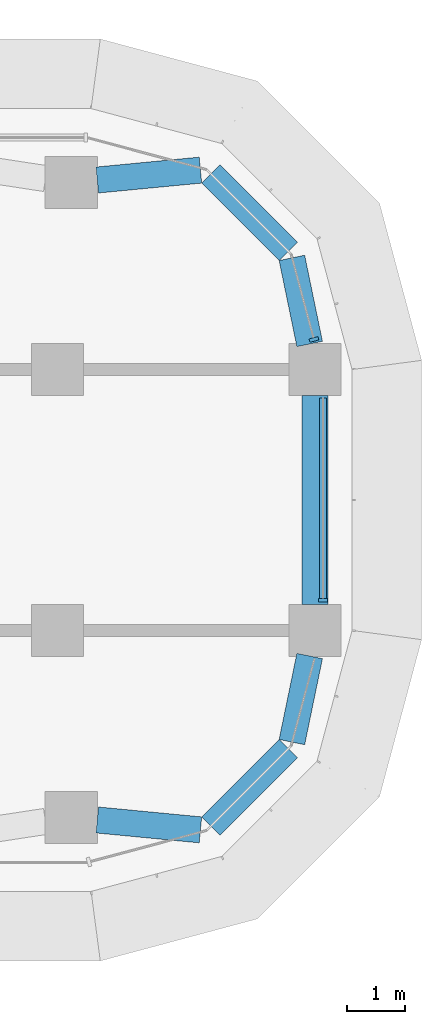
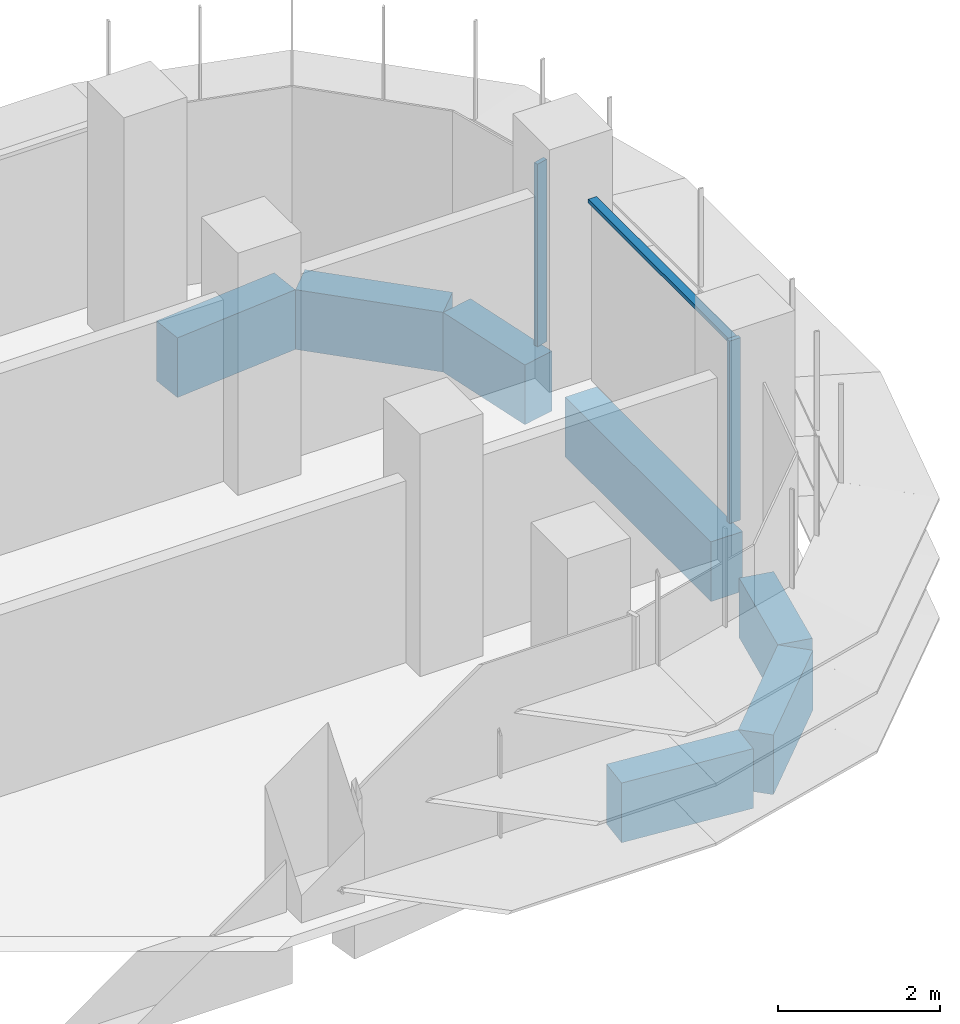
# One storey, part 10 of 22: 7 beams, 3 members, 2 elements without a shape of their own.
"""IFC4 building model written with IfcOpenShell, lengths in metres."""

import ifcopenshell
import ifcopenshell.guid

model = None  # the IFC model being written
_history = None  # IfcOwnerHistory: only IFC2X3 demands one
_inside = {}  # id of a spatial element -> (the spatial element, [elements in it])
_under = {}  # id of a project, library or spatial element -> (it, [spatial elements below it])
_declared = {}  # id of a project -> (the project, [libraries it declares])
_typed = {}  # id of a type object -> (the type object, [elements of that type])
_made_of = {}  # id of a material, layer set ... -> (it, [elements and type objects made of it])


def new_model(schema):
    """Start an empty IFC model of exactly this schema.

    Asked for "IFC4X3", IfcOpenShell would pick the latest addendum, in which some entities
    have other attributes; the version numbers below select the first issue.
    IFC2X3 requires an IfcOwnerHistory on every rooted entity: one is made here for all.
    """
    global model, _history
    if schema == "IFC4X3":
        model = ifcopenshell.file(schema_version=(4, 3, 0, 0))
    else:
        model = ifcopenshell.file(schema=schema)
    _inside.clear()
    _under.clear()
    _declared.clear()
    _typed.clear()
    _made_of.clear()
    _history = None
    if model.schema == "IFC2X3":
        org = make("IfcOrganization", Name="unknown")
        user = make(
            "IfcPersonAndOrganization",
            ThePerson=make("IfcPerson", FamilyName="unknown"),
            TheOrganization=org,
        )
        app = make(
            "IfcApplication",
            ApplicationDeveloper=org,
            Version="unknown",
            ApplicationFullName="unknown",
            ApplicationIdentifier="unknown",
        )
        _history = make(
            "IfcOwnerHistory",
            OwningUser=user,
            OwningApplication=app,
            ChangeAction="ADDED",
            CreationDate=0,
        )
    return model


def make(cls, **values):
    """One entity of the class cls with the attributes given. An attribute that is None is left unset."""
    return model.create_entity(
        cls, **{name: value for name, value in values.items() if value is not None}
    )


def rooted(cls, **values):
    """An entity with a GlobalId (a new one), such as an element, a storey or a relation."""
    return make(cls, GlobalId=ifcopenshell.guid.new(), OwnerHistory=_history, **values)


def si_unit(unit_type, name, prefix=None):
    """IfcSIUnit, for example si_unit("LENGTHUNIT", "METRE", prefix="MILLI")."""
    return make("IfcSIUnit", UnitType=unit_type, Prefix=prefix, Name=name)


def assignment(units):
    """IfcUnitAssignment: the units of a project."""
    return None if units is None else make("IfcUnitAssignment", Units=units)


def point(xyz):
    """IfcCartesianPoint."""
    return None if xyz is None else make("IfcCartesianPoint", Coordinates=xyz)


def direction(xyz):
    """IfcDirection."""
    return None if xyz is None else make("IfcDirection", DirectionRatios=xyz)


def frame(location, z_axis=None, x_axis=None):
    """IfcAxis2Placement3D, a coordinate frame: its origin and axes. An axis left out is left unset."""
    return make(
        "IfcAxis2Placement3D",
        Location=point(location),
        Axis=direction(z_axis),
        RefDirection=direction(x_axis),
    )


def frame_2d(location, x_axis=None):
    """IfcAxis2Placement2D, a coordinate frame in the plane: its origin and x axis."""
    return make(
        "IfcAxis2Placement2D", Location=point(location), RefDirection=direction(x_axis)
    )


def origin():
    """The frame at (0, 0, 0) with its axes left unset."""
    return frame((0.0, 0.0, 0.0))


def origin_2d():
    """The frame at (0, 0) in the plane with its x axis left unset."""
    return frame_2d((0.0, 0.0))


def place(relative_to, where):
    """IfcLocalPlacement: puts the frame where relative to a parent placement (None: the world)."""
    return make(
        "IfcLocalPlacement", PlacementRelTo=relative_to, RelativePlacement=where
    )


def context(
    kind, dimensions, precision=None, world=None, true_north=None, identifier=None
):
    """IfcGeometricRepresentationContext, for example the 3D "Model" context."""
    return make(
        "IfcGeometricRepresentationContext",
        ContextIdentifier=identifier,
        ContextType=kind,
        CoordinateSpaceDimension=dimensions,
        Precision=precision,
        WorldCoordinateSystem=world,
        TrueNorth=true_north,
    )


def subcontext(parent, identifier, kind, view, scale=None):
    """IfcGeometricRepresentationSubContext, for example "Body" below "Model"."""
    return make(
        "IfcGeometricRepresentationSubContext",
        ContextIdentifier=identifier,
        ContextType=kind,
        ParentContext=parent,
        TargetScale=scale,
        TargetView=view,
    )


def project(units=None, contexts=None):
    """IfcProject with its units and contexts."""
    return rooted(
        "IfcProject",
        Name="project",
        RepresentationContexts=contexts,
        UnitsInContext=assignment(units),
    )


def spatial(cls, under=None, at=None, **own):
    """A site, building, storey or space (cls), placed at a placement, below another one or the project."""
    s = rooted(cls, ObjectPlacement=at, **own)
    if under is not None:
        _under.setdefault(under.id(), (under, []))[1].append(s)
    return s


def polyline(points):
    """IfcPolyline through the points."""
    return make("IfcPolyline", Points=[point(p) for p in points])


def profile(cls, at=None, kind="AREA", **sizes):
    """A parametric profile (cls). Its sizes go by their IFC names, for example OverallWidth=200.0."""
    return make(cls, ProfileType=kind, Position=at, **sizes)


def rectangle(**sizes):
    """IfcRectangleProfileDef."""
    return profile("IfcRectangleProfileDef", **sizes)


def outline(outer, holes=None, kind="AREA"):
    """IfcArbitraryClosedProfileDef: a profile drawn as a closed curve; with holes, ...WithVoids."""
    if holes is None:
        return make("IfcArbitraryClosedProfileDef", ProfileType=kind, OuterCurve=outer)
    return make(
        "IfcArbitraryProfileDefWithVoids",
        ProfileType=kind,
        OuterCurve=outer,
        InnerCurves=holes,
    )


def extrude(swept, where, along, depth):
    """IfcExtrudedAreaSolid: the profile swept, set in the frame where, extruded along a direction by depth."""
    return make(
        "IfcExtrudedAreaSolid",
        SweptArea=swept,
        Position=where,
        ExtrudedDirection=direction(along),
        Depth=depth,
    )


def shape(context_of_items, identifier, shape_type, items):
    """IfcShapeRepresentation: the items that make up one representation, for example the "Body"."""
    return make(
        "IfcShapeRepresentation",
        ContextOfItems=context_of_items,
        RepresentationIdentifier=identifier,
        RepresentationType=shape_type,
        Items=items,
    )


def source(mapping_origin, context_of_items, identifier, shape_type, items):
    """IfcRepresentationMap: a shape defined once, which mapped items show again and again."""
    return make(
        "IfcRepresentationMap",
        MappingOrigin=mapping_origin,
        MappedRepresentation=shape(context_of_items, identifier, shape_type, items),
    )


def transform(
    local_origin,
    x_axis=None,
    y_axis=None,
    z_axis=None,
    scale=None,
    scale2=None,
    scale3=None,
    uniform=True,
):
    """IfcCartesianTransformationOperator3D, or its non-uniform kind. x_axis, y_axis, z_axis: its Axis1, 2, 3."""
    if uniform:
        return make(
            "IfcCartesianTransformationOperator3D",
            Axis1=direction(x_axis),
            Axis2=direction(y_axis),
            LocalOrigin=point(local_origin),
            Scale=scale,
            Axis3=direction(z_axis),
        )
    return make(
        "IfcCartesianTransformationOperator3DnonUniform",
        Axis1=direction(x_axis),
        Axis2=direction(y_axis),
        LocalOrigin=point(local_origin),
        Scale=scale,
        Axis3=direction(z_axis),
        Scale2=scale2,
        Scale3=scale3,
    )


def mapped(mapping_source, mapping_target):
    """IfcMappedItem: shows the shape of a source again, moved by a transform."""
    return make(
        "IfcMappedItem", MappingSource=mapping_source, MappingTarget=mapping_target
    )


def material(Name=None, Category=None):
    """IfcMaterial."""
    return make("IfcMaterial", Name=Name, Category=Category)


def material_profile(
    of_material, cross_section, Name=None, Category=None, Priority=None
):
    """IfcMaterialProfile: a cross section and its material."""
    return make(
        "IfcMaterialProfile",
        Name=Name,
        Material=of_material,
        Profile=cross_section,
        Priority=Priority,
        Category=Category,
    )


def profile_set(profiles, Name=None, composite=None):
    """IfcMaterialProfileSet."""
    return make(
        "IfcMaterialProfileSet",
        Name=Name,
        MaterialProfiles=profiles,
        CompositeProfile=composite,
    )


def made_of(thing, what):
    """Note that an element or type object is made of a material, layer set ...; save() writes the relation."""
    if what is not None:
        _made_of.setdefault(what.id(), (what, []))[1].append(thing)
    return thing


def type_object(cls, material=None, **own):
    """A type object (cls), such as IfcWallType, which elements share."""
    return made_of(rooted(cls, **own), material)


def element(
    cls,
    number,
    at=None,
    inside=None,
    cuts=None,
    type_object=None,
    material=None,
    context=None,
    identifier="Body",
    shape_type=None,
    held_by="IfcProductDefinitionShape",
    body=None,
    shapes=None,
    **own,
):
    """One element of the class cls, such as IfcWall. Its Tag is "e" and its number.

    at: its placement. inside: the storey or other place that contains it. cuts: it is an
    opening in that element (IfcRelVoidsElement). A single representation is given by context,
    identifier, shape_type and body (its items); several are given by shapes. held_by: the class
    of the entity that holds the representations. save() writes the other relations.
    """
    e = rooted(cls, Tag="e%d" % number, ObjectPlacement=at, **own)
    if body is not None:
        shapes = [shape(context, identifier, shape_type, body)]
    if shapes is not None:
        e.Representation = make(held_by, Representations=shapes)
    if inside is not None:
        _inside.setdefault(inside.id(), (inside, []))[1].append(e)
    if cuts is not None:
        rooted(
            "IfcRelVoidsElement", RelatingBuildingElement=cuts, RelatedOpeningElement=e
        )
    if type_object is not None:
        _typed.setdefault(type_object.id(), (type_object, []))[1].append(e)
    return made_of(e, material)


def aggregate(whole, parts):
    """IfcRelAggregates: a whole, such as a stair, and the parts it consists of."""
    return rooted("IfcRelAggregates", RelatingObject=whole, RelatedObjects=parts)


def save(model, path):
    """Write the relations noted so far, then the file.

    IfcRelAggregates (storeys below a building ...), IfcRelContainedInSpatialStructure (elements
    in a storey), IfcRelDefinesByType, IfcRelAssociatesMaterial and IfcRelDeclares: one each for
    every whole, place, type object, material and project.
    """
    for whole, parts in _under.values():
        aggregate(whole, parts)
    for where, things in _inside.values():
        rooted(
            "IfcRelContainedInSpatialStructure",
            RelatedElements=things,
            RelatingStructure=where,
        )
    for kind, things in _typed.values():
        rooted("IfcRelDefinesByType", RelatedObjects=things, RelatingType=kind)
    for what, things in _made_of.values():
        rooted("IfcRelAssociatesMaterial", RelatedObjects=things, RelatingMaterial=what)
    for by, libraries in _declared.values():
        rooted("IfcRelDeclares", RelatingContext=by, RelatedDefinitions=libraries)
    model.write(path)


model = new_model("IFC4")

# Units and contexts
model_context = context("Model", 3, precision=1e-05, world=origin(), true_north=direction((0.0, 1.0)))
body_context = subcontext(model_context, "Body", "Model", "MODEL_VIEW")
ifc_project = project(units=[si_unit("LENGTHUNIT", "METRE"), si_unit("AREAUNIT", "SQUARE_METRE"), si_unit("VOLUMEUNIT", "CUBIC_METRE"), si_unit("PLANEANGLEUNIT", "RADIAN"), si_unit("MASSUNIT", "GRAM", prefix="KILO")], contexts=[model_context])

# Site, building, storey
site_placement = place(None, origin())
site = spatial("IfcSite", under=ifc_project, at=site_placement, CompositionType="ELEMENT")
building_placement = place(site_placement, origin())
building = spatial("IfcBuilding", under=site, at=building_placement, Name="Zarbagh Exchange Tower", CompositionType="ELEMENT")
storey_placement = place(building_placement, frame((0.0, 0.0, 109.39990234375)))
storey = spatial("IfcBuildingStorey", under=building, at=storey_placement, Name="L25", CompositionType="ELEMENT", Elevation=109.39990234375)

# Beams
ifc_material_1 = material(Name="Concrete C60/75", Category="concrete")
ifc_material_profile = material_profile(ifc_material_1, rectangle(XDim=0.449951171875, YDim=0.89990234375, at=origin_2d()), Name="RC spandrel beam 450 x 900 C60/75")
ifc_profile_set = profile_set([ifc_material_profile], Name="Concrete C60/75")
beam_type = type_object("IfcBeamType", Name="RC spandrel beam 450 x 900 C60/75", PredefinedType="SPANDREL", material=ifc_profile_set)
beam_1_placement = place(storey_placement, frame((29.35595703125, 5.51806640625, -0.599853515625), z_axis=(0.995433267802, 0.095459988228, 0.0), x_axis=(-0.095459988228, 0.995433267802, 0.0)))
element("IfcBeam", 1, at=beam_1_placement, inside=storey, type_object=beam_type, Name="RC spandrel beam", PredefinedType="SPANDREL", context=body_context, shape_type="SweptSolid", body=[
    extrude(rectangle(XDim=0.449951171875, YDim=0.89990234375, at=origin_2d()), origin(), (0.0, 0.0, 1.0), 1.78759765625),
])
beam_2_placement = place(storey_placement, frame((31.316162109375, 5.623779296875, -0.599853515625), z_axis=(0.707106781187, -0.707106781187, 0.0), x_axis=(0.707106781187, 0.707106781187, 0.0)))
element("IfcBeam", 2, at=beam_2_placement, inside=storey, type_object=beam_type, Name="RC spandrel beam", PredefinedType="SPANDREL", context=body_context, shape_type="SweptSolid", body=[
    extrude(rectangle(XDim=0.449951171875, YDim=0.89990234375, at=origin_2d()), origin(), (0.0, 0.0, 1.0), 1.887939453125),
])
beam_3_placement = place(storey_placement, frame((32.71240234375, 4.17529296875, -0.599853515625), z_axis=(0.202275417995, -0.979328675816, 0.0), x_axis=(0.979328675816, 0.202275417995, 0.0)))
element("IfcBeam", 3, at=beam_3_placement, inside=storey, type_object=beam_type, Name="RC spandrel beam", PredefinedType="SPANDREL", context=body_context, shape_type="SweptSolid", body=[
    extrude(rectangle(XDim=0.449951171875, YDim=0.89990234375, at=origin_2d()), origin(), (0.0, 0.0, 1.0), 1.515869140625),
])
beam_4_placement = place(storey_placement, frame((33.110107421875, 1.800048828125, -0.599853515625), z_axis=(0.0, -1.0, 0.0), x_axis=(1.0, 0.0, 0.0)))
element("IfcBeam", 4, at=beam_4_placement, inside=storey, type_object=beam_type, Name="RC spandrel beam", PredefinedType="SPANDREL", context=body_context, shape_type="SweptSolid", body=[
    extrude(rectangle(XDim=0.449951171875, YDim=0.89990234375, at=origin_2d()), origin(), (0.0, 0.0, 1.0), 3.60009765625),
])
beam_5_placement = place(storey_placement, frame((33.01904296875, -2.690673828125, -0.599853515625), z_axis=(-0.202275417995, -0.979328675816, 0.0), x_axis=(0.979328675816, -0.202275417995, 0.0)))
element("IfcBeam", 5, at=beam_5_placement, inside=storey, type_object=beam_type, Name="RC spandrel beam", PredefinedType="SPANDREL", context=body_context, shape_type="SweptSolid", body=[
    extrude(rectangle(XDim=0.449951171875, YDim=0.89990234375, at=origin_2d()), origin(), (0.0, 0.0, 1.0), 1.515869140625),
])
beam_6_placement = place(storey_placement, frame((32.651123046875, -4.288818359375, -0.599853515625), z_axis=(-0.707106781187, -0.707106781187, 0.0), x_axis=(0.707106781187, -0.707106781187, 0.0)))
element("IfcBeam", 6, at=beam_6_placement, inside=storey, type_object=beam_type, Name="RC spandrel beam", PredefinedType="SPANDREL", context=body_context, shape_type="SweptSolid", body=[
    extrude(rectangle(XDim=0.449951171875, YDim=0.89990234375, at=origin_2d()), origin(), (0.0, 0.0, 1.0), 1.887939453125),
])
beam_7_placement = place(storey_placement, frame((31.135498046875, -5.688720703125, -0.599853515625), z_axis=(-0.995433267802, 0.095459988228, 0.0), x_axis=(-0.095459988228, -0.995433267802, 0.0)))
element("IfcBeam", 7, at=beam_7_placement, inside=storey, type_object=beam_type, Name="RC spandrel beam", PredefinedType="SPANDREL", context=body_context, shape_type="SweptSolid", body=[
    extrude(rectangle(XDim=0.449951171875, YDim=0.89990234375, at=origin_2d()), origin(), (0.0, 0.0, 1.0), 1.78759765625),
])

# Curtain wall, member
ifc_material_2 = material(Name="Anodised aluminium frame and glazing", Category="aluminium")
curtain_wall_type = type_object("IfcCurtainWallType", Name="CWA Ribbon glazing, lower zones", PredefinedType="NOTDEFINED", material=ifc_material_2)
curtain_wall_1_placement = place(storey_placement, origin())
curtain_wall_1 = element("IfcCurtainWall", 8, at=curtain_wall_1_placement, inside=storey, type_object=curtain_wall_type, Name="CWA12 curtain wall", PredefinedType="NOTDEFINED")
ifc_material_3 = material(Name="Anodised aluminium frame", Category="aluminium")
member_type_1 = type_object("IfcMemberType", Name="MUA Mullion, anodised aluminium frame", PredefinedType="MULLION", material=ifc_material_3)
shared_shape_1 = source(origin(), body_context, "Body", "SweptSolid", [
    extrude(outline(polyline([(0.0, -0.080078125), (0.06005859375, -0.080078125), (0.06005859375, 0.080078125), (0.0, 0.080078125), (0.0, -0.080078125)])), origin(), (0.0, 0.0, 1.0), 2.75),
])
placement = place(storey_placement, origin())
member_1 = element("IfcMember", 9, at=placement, type_object=member_type_1, Name="CWA12 mullion 1.1", PredefinedType="MULLION", context=body_context, shape_type="MappedRepresentation", body=[
    mapped(shared_shape_1, transform((33.25, -1.760009765625, 0.0), x_axis=(0.0, 1.0, 0.0), y_axis=(-1.0, 0.0, 0.0), z_axis=(0.0, 0.0, 1.0))),
])

curtain_wall_2_placement = place(storey_placement, origin())
curtain_wall_2 = element("IfcCurtainWall", 10, at=curtain_wall_2_placement, inside=storey, type_object=curtain_wall_type, Name="CWA13 curtain wall", PredefinedType="NOTDEFINED")
member_2 = element("IfcMember", 11, at=placement, type_object=member_type_1, Name="CWA13 mullion 1.1", PredefinedType="MULLION", context=body_context, shape_type="MappedRepresentation", body=[
    mapped(shared_shape_1, transform((33.10107421875, 2.739990234375, 0.0), x_axis=(-0.258824779902, 0.965924289636, 0.0), y_axis=(-0.965924289636, -0.258824779902, 0.0), z_axis=(0.0, 0.0, 1.0))),
])
aggregate(curtain_wall_2, [member_2])

# Member
member_type_2 = type_object("IfcMemberType", Name="TRA Transom, anodised aluminium frame", PredefinedType="USERDEFINED", material=ifc_material_3)
shared_shape_2 = source(origin(), body_context, "Body", "SweptSolid", [
    extrude(outline(polyline([(-0.06005859375, -0.06005859375), (0.0, -0.06005859375), (0.0, 0.06005859375), (-0.06005859375, 0.06005859375), (-0.06005859375, -0.06005859375)])), origin(), (0.0, 0.0, 1.0), 3.4599609375),
])
member_3 = element("IfcMember", 12, at=placement, type_object=member_type_2, Name="CWA12 transom 1.1", ObjectType="TRANSOM", PredefinedType="USERDEFINED", context=body_context, shape_type="MappedRepresentation", body=[
    mapped(shared_shape_2, transform((33.25, -1.699951171875, 2.75), x_axis=(0.0, 0.0, 1.0), y_axis=(1.0, 0.0, 0.0), z_axis=(0.0, 1.0, 0.0))),
])

aggregate(curtain_wall_1, [member_1, member_3])

save(model, "model.ifc")
